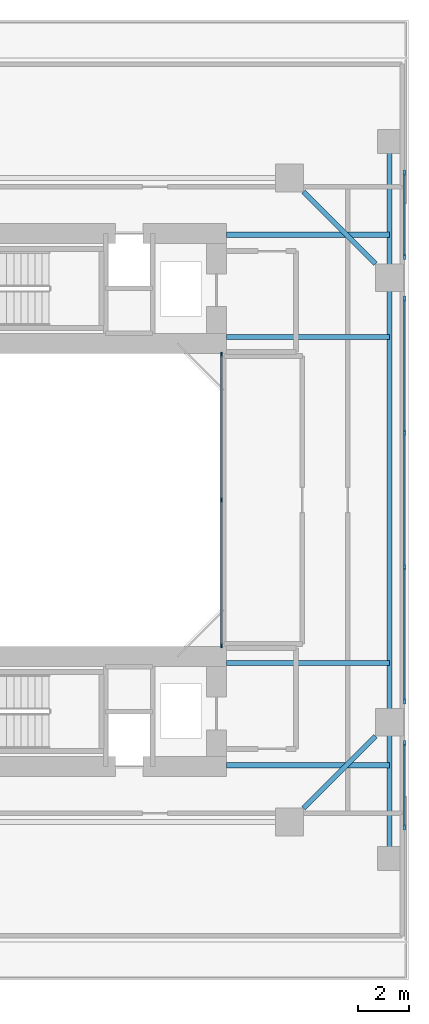
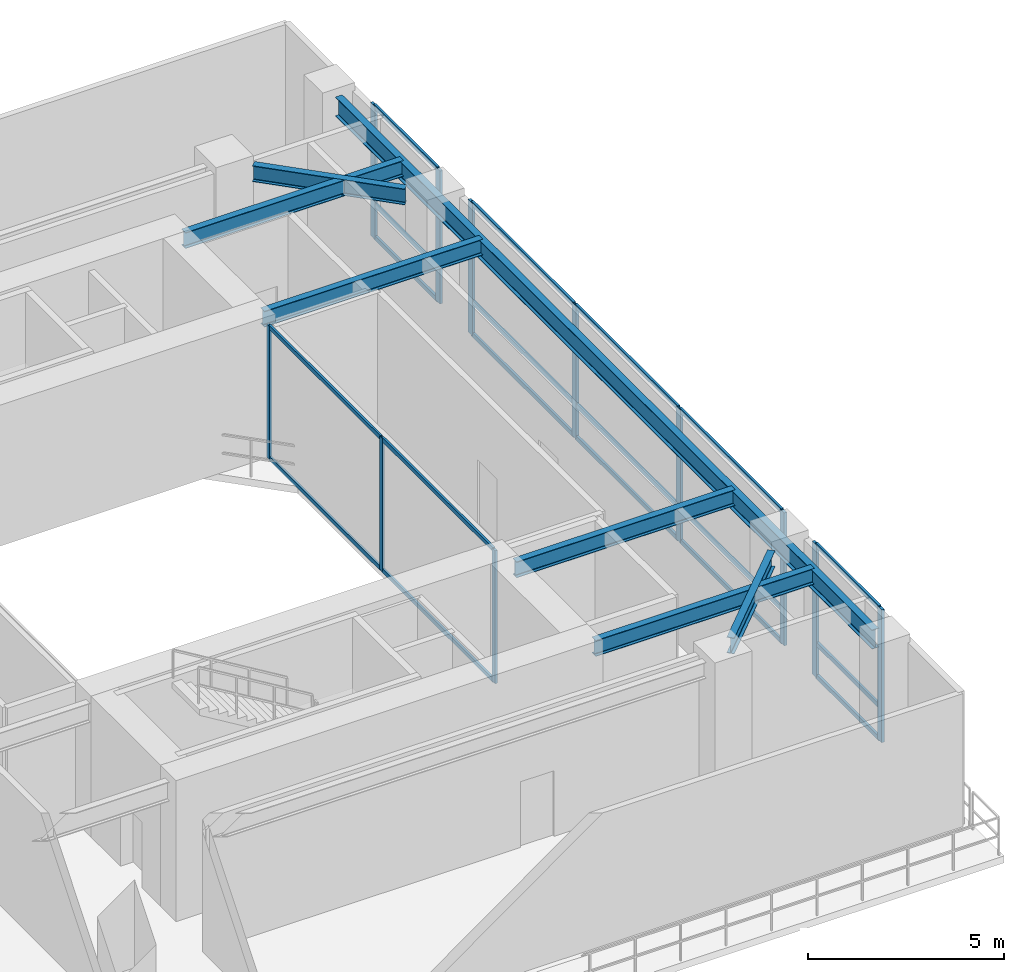
# One storey, part 9 of 20: 30 members, 7 beams, 4 elements without a shape of their own.
"""IFC4 building model written with IfcOpenShell, lengths in metres."""

from ifc_helpers import new_model, si_unit, direction, frame, origin, origin_2d, place, context, subcontext, project, spatial, rectangle, i_section, extrude, source, transform, mapped, material, layer, layer_set, material_profile, profile_set, type_object, element, aggregate, save


model = new_model("IFC4")

# Units and contexts
model_context = context("Model", 3, precision=1e-05, world=origin(), true_north=direction((0.0, 1.0)))
body_context = subcontext(model_context, "Body", "Model", "MODEL_VIEW")
ifc_project = project(units=[si_unit("LENGTHUNIT", "METRE"), si_unit("AREAUNIT", "SQUARE_METRE"), si_unit("VOLUMEUNIT", "CUBIC_METRE"), si_unit("PLANEANGLEUNIT", "RADIAN"), si_unit("MASSUNIT", "GRAM", prefix="KILO"), si_unit("THERMODYNAMICTEMPERATUREUNIT", "KELVIN"), si_unit("POWERUNIT", "WATT")], contexts=[model_context])

# Site, building, storey
site_placement = place(None, origin())
site = spatial("IfcSite", under=ifc_project, at=site_placement, CompositionType="ELEMENT")
building_placement = place(site_placement, origin())
building = spatial("IfcBuilding", under=site, at=building_placement, Name="Qiaomeng Ring Towers", CompositionType="ELEMENT")
storey_placement = place(building_placement, frame((0.0, 0.0, 13.800048828125)))
storey = spatial("IfcBuildingStorey", under=building, at=storey_placement, Name="L03", CompositionType="ELEMENT", Elevation=13.800048828125)

# Beams
ifc_material_1 = material(Name="Steel Q355B", Category="steel")
ifc_material_profile_1 = material_profile(ifc_material_1, i_section(OverallWidth=0.199951171875, OverallDepth=0.60009765625, WebThickness=0.010986328125, FlangeThickness=0.01708984375, FilletRadius=0.02197265625, at=origin_2d()), Name="HN 600x200x11x17")
ifc_profile_set_1 = profile_set([ifc_material_profile_1], Name="Steel Q355B")
beam_type_1 = type_object("IfcBeamType", Name="STR-BM-HN600", PredefinedType="BEAM", material=ifc_profile_set_1)
shared_shape_1 = source(origin(), body_context, "Body", "SweptSolid", [
    extrude(i_section(OverallWidth=0.199951171875, OverallDepth=0.60009765625, WebThickness=0.010986328125, FlangeThickness=0.01708984375, FilletRadius=0.02197265625, at=origin_2d()), origin(), (0.0, 0.0, 1.0), 27.4521484375),
])
beam_placement = place(storey_placement, frame((73.25, 9.27392578125, 3.849853515625), z_axis=(0.0, 1.0, 0.0), x_axis=(-1.0, 0.0, 0.0)))
element("IfcBeam", 1, at=beam_placement, inside=storey, type_object=beam_type_1, Name="L03 beam STR-SP-L03-EL", PredefinedType="BEAM", context=body_context, shape_type="MappedRepresentation", body=[
    mapped(shared_shape_1, transform((0.0, 0.0, 0.0), x_axis=(1.0, 0.0, 0.0), y_axis=(0.0, 1.0, 0.0), z_axis=(0.0, 0.0, 1.0), scale=1.0)),
])
ifc_material_profile_2 = material_profile(ifc_material_1, i_section(OverallWidth=0.199951171875, OverallDepth=0.5, WebThickness=0.010009765625, FlangeThickness=0.01611328125, FilletRadius=0.02001953125, at=origin_2d()), Name="HN 500x200x10x16")
ifc_profile_set_2 = profile_set([ifc_material_profile_2], Name="Steel Q355B")
beam_type_2 = type_object("IfcBeamType", Name="STR-BM-HN500", PredefinedType="BEAM", material=ifc_profile_set_2)
shared_shape_2 = source(origin(), body_context, "Body", "SweptSolid", [
    extrude(i_section(OverallWidth=0.199951171875, OverallDepth=0.5, WebThickness=0.010009765625, FlangeThickness=0.01611328125, FilletRadius=0.02001953125, at=origin_2d()), origin(), (0.0, 0.0, 1.0), 4.032470703125),
])
for number, where, z_axis, x_axis, name in (
    (2, (69.849365234375, 10.79931640625, 3.89990234375), (0.707106781187, 0.707106781187, 0.0), (-0.707106781187, 0.707106781187, 0.0), "L03 beam STR-SP-L03-T2-2"),
    (3, (72.70068359375, 32.349365234375, 3.89990234375), (-0.707106781187, 0.707106781187, 0.0), (-0.707106781187, -0.707106781187, 0.0), "L03 beam STR-SP-L03-T2-4"),
):
    element("IfcBeam", number, at=place(storey_placement, frame(where, z_axis=z_axis, x_axis=x_axis)), inside=storey, type_object=beam_type_2, Name=name, PredefinedType="BEAM", context=body_context, shape_type="MappedRepresentation", body=[
        mapped(shared_shape_2, transform((0.0, 0.0, 0.0), x_axis=(1.0, 0.0, 0.0), y_axis=(0.0, 1.0, 0.0), z_axis=(0.0, 0.0, 1.0), scale=1.0)),
    ])
shared_shape_3 = source(origin(), body_context, "Body", "SweptSolid", [
    extrude(i_section(OverallWidth=0.199951171875, OverallDepth=0.5, WebThickness=0.010009765625, FlangeThickness=0.01611328125, FilletRadius=0.02001953125, at=origin_2d()), origin(), (0.0, 0.0, 1.0), 6.449951171875),
])
for number, where, z_axis, x_axis, name in (
    (4, (66.800048828125, 12.5, 3.89990234375), (1.0, 0.0, 0.0), (0.0, 1.0, 0.0), "L03 beam STR-BM-L03-E-0"),
    (5, (66.800048828125, 16.550048828125, 3.89990234375), (1.0, 0.0, 0.0), (0.0, 1.0, 0.0), "L03 beam STR-BM-L03-E-1"),
    (6, (66.800048828125, 29.449951171875, 3.89990234375), (1.0, 0.0, 0.0), (0.0, 1.0, 0.0), "L03 beam STR-BM-L03-E-2"),
    (7, (66.800048828125, 33.5, 3.89990234375), (1.0, 0.0, 0.0), (0.0, 1.0, 0.0), "L03 beam STR-BM-L03-E-3"),
):
    element("IfcBeam", number, at=place(storey_placement, frame(where, z_axis=z_axis, x_axis=x_axis)), inside=storey, type_object=beam_type_2, Name=name, PredefinedType="BEAM", context=body_context, shape_type="MappedRepresentation", body=[
        mapped(shared_shape_3, transform((0.0, 0.0, 0.0), x_axis=(1.0, 0.0, 0.0), y_axis=(0.0, 1.0, 0.0), z_axis=(0.0, 0.0, 1.0), scale=1.0)),
    ])

# Curtain wall, members
ifc_material_2 = material(Name="Fluorocarbon dark-grey aluminium", Category="aluminium")
ifc_layer_1 = layer(ifc_material_2, 0.179931640625, Name="Fluorocarbon dark-grey aluminium")
ifc_layer_set_1 = layer_set([ifc_layer_1], Name="Fluorocarbon dark-grey aluminium")
curtain_wall_type_1 = type_object("IfcCurtainWallType", Name="ARC-CW-1", PredefinedType="NOTDEFINED", material=ifc_layer_set_1)
curtain_wall_1_placement = place(storey_placement, origin())
curtain_wall_1 = element("IfcCurtainWall", 8, at=curtain_wall_1_placement, inside=storey, type_object=curtain_wall_type_1, Name="L03 Curtain Wall CW1", PredefinedType="NOTDEFINED")
ifc_material_profile_3 = material_profile(ifc_material_2, rectangle(XDim=0.070068359375, YDim=0.139892578125, at=origin_2d()), Name="ALU TRAN 70x140")
ifc_profile_set_3 = profile_set([ifc_material_profile_3], Name="Fluorocarbon dark-grey aluminium")
member_type_1 = type_object("IfcMemberType", Name="ARC-CWT-140", PredefinedType="USERDEFINED", material=ifc_profile_set_3)
shared_shape_4 = source(origin(), body_context, "Body", "SweptSolid", [
    extrude(rectangle(XDim=0.070068359375, YDim=0.139892578125, at=origin_2d()), origin(), (0.0, 0.0, 1.0), 5.219970703125),
])
member_1_placement = place(storey_placement, frame((73.85009765625, 15.070068359375, 0.034912109375), z_axis=(0.0, 1.0, 0.0), x_axis=(-1.0, 0.0, 0.0)))
member_1 = element("IfcMember", 9, at=member_1_placement, type_object=member_type_1, Name="CW1 transom 1.1", ObjectType="TRANSOM", PredefinedType="USERDEFINED", context=body_context, shape_type="MappedRepresentation", body=[
    mapped(shared_shape_4, transform((0.0, 0.0, 0.0), x_axis=(1.0, 0.0, 0.0), y_axis=(0.0, 1.0, 0.0), z_axis=(0.0, 0.0, 1.0), scale=1.0)),
])
member_2_placement = place(storey_placement, frame((73.85009765625, 15.070068359375, 1.050048828125), z_axis=(0.0, 1.0, 0.0), x_axis=(-1.0, 0.0, 0.0)))
member_2 = element("IfcMember", 10, at=member_2_placement, type_object=member_type_1, Name="CW1 transom 1.2", ObjectType="TRANSOM", PredefinedType="USERDEFINED", context=body_context, shape_type="MappedRepresentation", body=[
    mapped(shared_shape_4, transform((0.0, 0.0, 0.0), x_axis=(1.0, 0.0, 0.0), y_axis=(0.0, 1.0, 0.0), z_axis=(0.0, 0.0, 1.0), scale=1.0)),
])
member_3_placement = place(storey_placement, frame((73.85009765625, 15.070068359375, 4.114990234375), z_axis=(0.0, 1.0, 0.0), x_axis=(-1.0, 0.0, 0.0)))
member_3 = element("IfcMember", 11, at=member_3_placement, type_object=member_type_1, Name="CW1 transom 1.3", ObjectType="TRANSOM", PredefinedType="USERDEFINED", context=body_context, shape_type="MappedRepresentation", body=[
    mapped(shared_shape_4, transform((0.0, 0.0, 0.0), x_axis=(1.0, 0.0, 0.0), y_axis=(0.0, 1.0, 0.0), z_axis=(0.0, 0.0, 1.0), scale=1.0)),
])
member_4_placement = place(storey_placement, frame((73.85009765625, 25.7099609375, 0.034912109375), z_axis=(0.0, 1.0, 0.0), x_axis=(-1.0, 0.0, 0.0)))
member_4 = element("IfcMember", 12, at=member_4_placement, type_object=member_type_1, Name="CW1 transom 3.1", ObjectType="TRANSOM", PredefinedType="USERDEFINED", context=body_context, shape_type="MappedRepresentation", body=[
    mapped(shared_shape_4, transform((0.0, 0.0, 0.0), x_axis=(1.0, 0.0, 0.0), y_axis=(0.0, 1.0, 0.0), z_axis=(0.0, 0.0, 1.0), scale=1.0)),
])
member_5_placement = place(storey_placement, frame((73.85009765625, 25.7099609375, 1.050048828125), z_axis=(0.0, 1.0, 0.0), x_axis=(-1.0, 0.0, 0.0)))
member_5 = element("IfcMember", 13, at=member_5_placement, type_object=member_type_1, Name="CW1 transom 3.2", ObjectType="TRANSOM", PredefinedType="USERDEFINED", context=body_context, shape_type="MappedRepresentation", body=[
    mapped(shared_shape_4, transform((0.0, 0.0, 0.0), x_axis=(1.0, 0.0, 0.0), y_axis=(0.0, 1.0, 0.0), z_axis=(0.0, 0.0, 1.0), scale=1.0)),
])
member_6_placement = place(storey_placement, frame((73.85009765625, 25.7099609375, 4.114990234375), z_axis=(0.0, 1.0, 0.0), x_axis=(-1.0, 0.0, 0.0)))
member_6 = element("IfcMember", 14, at=member_6_placement, type_object=member_type_1, Name="CW1 transom 3.3", ObjectType="TRANSOM", PredefinedType="USERDEFINED", context=body_context, shape_type="MappedRepresentation", body=[
    mapped(shared_shape_4, transform((0.0, 0.0, 0.0), x_axis=(1.0, 0.0, 0.0), y_axis=(0.0, 1.0, 0.0), z_axis=(0.0, 0.0, 1.0), scale=1.0)),
])
shared_shape_5 = source(origin(), body_context, "Body", "SweptSolid", [
    extrude(rectangle(XDim=0.070068359375, YDim=0.139892578125, at=origin_2d()), origin(), (0.0, 0.0, 1.0), 5.259765625),
])
member_7_placement = place(storey_placement, frame((73.85009765625, 20.3701171875, 0.034912109375), z_axis=(0.0, 1.0, 0.0), x_axis=(-1.0, 0.0, 0.0)))
member_7 = element("IfcMember", 15, at=member_7_placement, type_object=member_type_1, Name="CW1 transom 2.1", ObjectType="TRANSOM", PredefinedType="USERDEFINED", context=body_context, shape_type="MappedRepresentation", body=[
    mapped(shared_shape_5, transform((0.0, 0.0, 0.0), x_axis=(1.0, 0.0, 0.0), y_axis=(0.0, 1.0, 0.0), z_axis=(0.0, 0.0, 1.0), scale=1.0)),
])
member_8_placement = place(storey_placement, frame((73.85009765625, 20.3701171875, 1.050048828125), z_axis=(0.0, 1.0, 0.0), x_axis=(-1.0, 0.0, 0.0)))
member_8 = element("IfcMember", 16, at=member_8_placement, type_object=member_type_1, Name="CW1 transom 2.2", ObjectType="TRANSOM", PredefinedType="USERDEFINED", context=body_context, shape_type="MappedRepresentation", body=[
    mapped(shared_shape_5, transform((0.0, 0.0, 0.0), x_axis=(1.0, 0.0, 0.0), y_axis=(0.0, 1.0, 0.0), z_axis=(0.0, 0.0, 1.0), scale=1.0)),
])
member_9_placement = place(storey_placement, frame((73.85009765625, 20.3701171875, 4.114990234375), z_axis=(0.0, 1.0, 0.0), x_axis=(-1.0, 0.0, 0.0)))
member_9 = element("IfcMember", 17, at=member_9_placement, type_object=member_type_1, Name="CW1 transom 2.3", ObjectType="TRANSOM", PredefinedType="USERDEFINED", context=body_context, shape_type="MappedRepresentation", body=[
    mapped(shared_shape_5, transform((0.0, 0.0, 0.0), x_axis=(1.0, 0.0, 0.0), y_axis=(0.0, 1.0, 0.0), z_axis=(0.0, 0.0, 1.0), scale=1.0)),
])

curtain_wall_2_placement = place(storey_placement, origin())
curtain_wall_2 = element("IfcCurtainWall", 18, at=curtain_wall_2_placement, inside=storey, type_object=curtain_wall_type_1, Name="L03 Curtain Wall CW1", PredefinedType="NOTDEFINED")
shared_shape_6 = source(origin(), body_context, "Body", "SweptSolid", [
    extrude(rectangle(XDim=0.070068359375, YDim=0.139892578125, at=origin_2d()), origin(), (0.0, 0.0, 1.0), 3.25),
])
member_10_placement = place(storey_placement, frame((73.85009765625, 10.080078125, 0.034912109375), z_axis=(0.0, 1.0, 0.0), x_axis=(-1.0, 0.0, 0.0)))
member_10 = element("IfcMember", 19, at=member_10_placement, type_object=member_type_1, Name="CW1 transom 1.1", ObjectType="TRANSOM", PredefinedType="USERDEFINED", context=body_context, shape_type="MappedRepresentation", body=[
    mapped(shared_shape_6, transform((0.0, 0.0, 0.0), x_axis=(1.0, 0.0, 0.0), y_axis=(0.0, 1.0, 0.0), z_axis=(0.0, 0.0, 1.0), scale=1.0)),
])
member_11_placement = place(storey_placement, frame((73.85009765625, 10.080078125, 1.050048828125), z_axis=(0.0, 1.0, 0.0), x_axis=(-1.0, 0.0, 0.0)))
member_11 = element("IfcMember", 20, at=member_11_placement, type_object=member_type_1, Name="CW1 transom 1.2", ObjectType="TRANSOM", PredefinedType="USERDEFINED", context=body_context, shape_type="MappedRepresentation", body=[
    mapped(shared_shape_6, transform((0.0, 0.0, 0.0), x_axis=(1.0, 0.0, 0.0), y_axis=(0.0, 1.0, 0.0), z_axis=(0.0, 0.0, 1.0), scale=1.0)),
])
member_12_placement = place(storey_placement, frame((73.85009765625, 10.080078125, 4.114990234375), z_axis=(0.0, 1.0, 0.0), x_axis=(-1.0, 0.0, 0.0)))
member_12 = element("IfcMember", 21, at=member_12_placement, type_object=member_type_1, Name="CW1 transom 1.3", ObjectType="TRANSOM", PredefinedType="USERDEFINED", context=body_context, shape_type="MappedRepresentation", body=[
    mapped(shared_shape_6, transform((0.0, 0.0, 0.0), x_axis=(1.0, 0.0, 0.0), y_axis=(0.0, 1.0, 0.0), z_axis=(0.0, 0.0, 1.0), scale=1.0)),
])

curtain_wall_3_placement = place(storey_placement, origin())
curtain_wall_3 = element("IfcCurtainWall", 22, at=curtain_wall_3_placement, inside=storey, type_object=curtain_wall_type_1, Name="L03 Curtain Wall CW1", PredefinedType="NOTDEFINED")
member_13_placement = place(storey_placement, frame((73.85009765625, 32.669921875, 0.034912109375), z_axis=(0.0, 1.0, 0.0), x_axis=(-1.0, 0.0, 0.0)))
member_13 = element("IfcMember", 23, at=member_13_placement, type_object=member_type_1, Name="CW1 transom 1.1", ObjectType="TRANSOM", PredefinedType="USERDEFINED", context=body_context, shape_type="MappedRepresentation", body=[
    mapped(shared_shape_6, transform((0.0, 0.0, 0.0), x_axis=(1.0, 0.0, 0.0), y_axis=(0.0, 1.0, 0.0), z_axis=(0.0, 0.0, 1.0), scale=1.0)),
])
member_14_placement = place(storey_placement, frame((73.85009765625, 32.669921875, 1.050048828125), z_axis=(0.0, 1.0, 0.0), x_axis=(-1.0, 0.0, 0.0)))
member_14 = element("IfcMember", 24, at=member_14_placement, type_object=member_type_1, Name="CW1 transom 1.2", ObjectType="TRANSOM", PredefinedType="USERDEFINED", context=body_context, shape_type="MappedRepresentation", body=[
    mapped(shared_shape_6, transform((0.0, 0.0, 0.0), x_axis=(1.0, 0.0, 0.0), y_axis=(0.0, 1.0, 0.0), z_axis=(0.0, 0.0, 1.0), scale=1.0)),
])
member_15_placement = place(storey_placement, frame((73.85009765625, 32.669921875, 4.114990234375), z_axis=(0.0, 1.0, 0.0), x_axis=(-1.0, 0.0, 0.0)))
member_15 = element("IfcMember", 25, at=member_15_placement, type_object=member_type_1, Name="CW1 transom 1.3", ObjectType="TRANSOM", PredefinedType="USERDEFINED", context=body_context, shape_type="MappedRepresentation", body=[
    mapped(shared_shape_6, transform((0.0, 0.0, 0.0), x_axis=(1.0, 0.0, 0.0), y_axis=(0.0, 1.0, 0.0), z_axis=(0.0, 0.0, 1.0), scale=1.0)),
])

ifc_layer_2 = layer(ifc_material_2, 0.139892578125, Name="Fluorocarbon dark-grey aluminium")
ifc_layer_set_2 = layer_set([ifc_layer_2], Name="Fluorocarbon dark-grey aluminium")
curtain_wall_type_2 = type_object("IfcCurtainWallType", Name="ARC-CW-4", PredefinedType="NOTDEFINED", material=ifc_layer_set_2)
curtain_wall_4_placement = place(storey_placement, origin())
curtain_wall_4 = element("IfcCurtainWall", 26, at=curtain_wall_4_placement, inside=storey, type_object=curtain_wall_type_2, Name="L03 Curtain Wall CW4", PredefinedType="NOTDEFINED")
ifc_material_profile_4 = material_profile(ifc_material_2, rectangle(XDim=0.06494140625, YDim=0.1298828125, at=origin_2d()), Name="ALU TRAN 65x130")
ifc_profile_set_4 = profile_set([ifc_material_profile_4], Name="Fluorocarbon dark-grey aluminium")
member_type_2 = type_object("IfcMemberType", Name="ARC-CWT-120", PredefinedType="USERDEFINED", material=ifc_profile_set_4)
shared_shape_7 = source(origin(), body_context, "Body", "SweptSolid", [
    extrude(rectangle(XDim=0.06494140625, YDim=0.1298828125, at=origin_2d()), origin(), (0.0, 0.0, 1.0), 5.70263671875),
])
member_16_placement = place(storey_placement, frame((66.60009765625, 17.264892578125, 0.032470703125), z_axis=(0.0, 1.0, 0.0), x_axis=(-1.0, 0.0, 0.0)))
member_16 = element("IfcMember", 27, at=member_16_placement, type_object=member_type_2, Name="CW4 transom 1.1", ObjectType="TRANSOM", PredefinedType="USERDEFINED", context=body_context, shape_type="MappedRepresentation", body=[
    mapped(shared_shape_7, transform((0.0, 0.0, 0.0), x_axis=(1.0, 0.0, 0.0), y_axis=(0.0, 1.0, 0.0), z_axis=(0.0, 0.0, 1.0), scale=1.0)),
])
member_17_placement = place(storey_placement, frame((66.60009765625, 17.264892578125, 4.117431640625), z_axis=(0.0, 1.0, 0.0), x_axis=(-1.0, 0.0, 0.0)))
member_17 = element("IfcMember", 28, at=member_17_placement, type_object=member_type_2, Name="CW4 transom 1.2", ObjectType="TRANSOM", PredefinedType="USERDEFINED", context=body_context, shape_type="MappedRepresentation", body=[
    mapped(shared_shape_7, transform((0.0, 0.0, 0.0), x_axis=(1.0, 0.0, 0.0), y_axis=(0.0, 1.0, 0.0), z_axis=(0.0, 0.0, 1.0), scale=1.0)),
])
member_18_placement = place(storey_placement, frame((66.60009765625, 23.032470703125, 0.032470703125), z_axis=(0.0, 1.0, 0.0), x_axis=(-1.0, 0.0, 0.0)))
member_18 = element("IfcMember", 29, at=member_18_placement, type_object=member_type_2, Name="CW4 transom 2.1", ObjectType="TRANSOM", PredefinedType="USERDEFINED", context=body_context, shape_type="MappedRepresentation", body=[
    mapped(shared_shape_7, transform((0.0, 0.0, 0.0), x_axis=(1.0, 0.0, 0.0), y_axis=(0.0, 1.0, 0.0), z_axis=(0.0, 0.0, 1.0), scale=1.0)),
])
member_19_placement = place(storey_placement, frame((66.60009765625, 23.032470703125, 4.117431640625), z_axis=(0.0, 1.0, 0.0), x_axis=(-1.0, 0.0, 0.0)))
member_19 = element("IfcMember", 30, at=member_19_placement, type_object=member_type_2, Name="CW4 transom 2.2", ObjectType="TRANSOM", PredefinedType="USERDEFINED", context=body_context, shape_type="MappedRepresentation", body=[
    mapped(shared_shape_7, transform((0.0, 0.0, 0.0), x_axis=(1.0, 0.0, 0.0), y_axis=(0.0, 1.0, 0.0), z_axis=(0.0, 0.0, 1.0), scale=1.0)),
])

# Member
ifc_material_profile_5 = material_profile(ifc_material_2, rectangle(XDim=0.080078125, YDim=0.219970703125, at=origin_2d()), Name="ALU MULL 80x220")
ifc_profile_set_5 = profile_set([ifc_material_profile_5], Name="Fluorocarbon dark-grey aluminium")
member_type_3 = type_object("IfcMemberType", Name="ARC-CWM-180", PredefinedType="MULLION", material=ifc_profile_set_5)
shared_shape_8 = source(origin(), body_context, "Body", "SweptSolid", [
    extrude(rectangle(XDim=0.080078125, YDim=0.219970703125, at=origin_2d()), origin(), (0.0, 0.0, 1.0), 4.14990234375),
])
member_20_placement = place(storey_placement, frame((73.85009765625, 10.0400390625, 0.0), z_axis=(0.0, 0.0, 1.0), x_axis=(-1.0, 0.0, 0.0)))
member_20 = element("IfcMember", 31, at=member_20_placement, type_object=member_type_3, Name="CW1 mullion 1", PredefinedType="MULLION", context=body_context, shape_type="MappedRepresentation", body=[
    mapped(shared_shape_8, transform((0.0, 0.0, 0.0), x_axis=(1.0, 0.0, 0.0), y_axis=(0.0, 1.0, 0.0), z_axis=(0.0, 0.0, 1.0), scale=1.0)),
])

member_21_placement = place(storey_placement, frame((73.85009765625, 13.3701171875, 0.0), z_axis=(0.0, 0.0, 1.0), x_axis=(-1.0, 0.0, 0.0)))
member_21 = element("IfcMember", 32, at=member_21_placement, type_object=member_type_3, Name="CW1 mullion 2", PredefinedType="MULLION", context=body_context, shape_type="MappedRepresentation", body=[
    mapped(shared_shape_8, transform((0.0, 0.0, 0.0), x_axis=(1.0, 0.0, 0.0), y_axis=(0.0, 1.0, 0.0), z_axis=(0.0, 0.0, 1.0), scale=1.0)),
])

aggregate(curtain_wall_2, [member_20, member_21, member_10, member_11, member_12])

member_22_placement = place(storey_placement, frame((73.85009765625, 15.030029296875, 0.0), z_axis=(0.0, 0.0, 1.0), x_axis=(-1.0, 0.0, 0.0)))
member_22 = element("IfcMember", 33, at=member_22_placement, type_object=member_type_3, Name="CW1 mullion 1", PredefinedType="MULLION", context=body_context, shape_type="MappedRepresentation", body=[
    mapped(shared_shape_8, transform((0.0, 0.0, 0.0), x_axis=(1.0, 0.0, 0.0), y_axis=(0.0, 1.0, 0.0), z_axis=(0.0, 0.0, 1.0), scale=1.0)),
])

member_23_placement = place(storey_placement, frame((73.85009765625, 20.330078125, 0.0), z_axis=(0.0, 0.0, 1.0), x_axis=(-1.0, 0.0, 0.0)))
member_23 = element("IfcMember", 34, at=member_23_placement, type_object=member_type_3, Name="CW1 mullion 2", PredefinedType="MULLION", context=body_context, shape_type="MappedRepresentation", body=[
    mapped(shared_shape_8, transform((0.0, 0.0, 0.0), x_axis=(1.0, 0.0, 0.0), y_axis=(0.0, 1.0, 0.0), z_axis=(0.0, 0.0, 1.0), scale=1.0)),
])

member_24_placement = place(storey_placement, frame((73.85009765625, 25.669921875, 0.0), z_axis=(0.0, 0.0, 1.0), x_axis=(-1.0, 0.0, 0.0)))
member_24 = element("IfcMember", 35, at=member_24_placement, type_object=member_type_3, Name="CW1 mullion 3", PredefinedType="MULLION", context=body_context, shape_type="MappedRepresentation", body=[
    mapped(shared_shape_8, transform((0.0, 0.0, 0.0), x_axis=(1.0, 0.0, 0.0), y_axis=(0.0, 1.0, 0.0), z_axis=(0.0, 0.0, 1.0), scale=1.0)),
])

member_25_placement = place(storey_placement, frame((73.85009765625, 30.969970703125, 0.0), z_axis=(0.0, 0.0, 1.0), x_axis=(-1.0, 0.0, 0.0)))
member_25 = element("IfcMember", 36, at=member_25_placement, type_object=member_type_3, Name="CW1 mullion 4", PredefinedType="MULLION", context=body_context, shape_type="MappedRepresentation", body=[
    mapped(shared_shape_8, transform((0.0, 0.0, 0.0), x_axis=(1.0, 0.0, 0.0), y_axis=(0.0, 1.0, 0.0), z_axis=(0.0, 0.0, 1.0), scale=1.0)),
])

aggregate(curtain_wall_1, [member_22, member_23, member_24, member_25, member_1, member_2, member_3, member_7, member_8, member_9, member_4, member_5, member_6])

member_26_placement = place(storey_placement, frame((73.85009765625, 32.6298828125, 0.0), z_axis=(0.0, 0.0, 1.0), x_axis=(-1.0, 0.0, 0.0)))
member_26 = element("IfcMember", 37, at=member_26_placement, type_object=member_type_3, Name="CW1 mullion 1", PredefinedType="MULLION", context=body_context, shape_type="MappedRepresentation", body=[
    mapped(shared_shape_8, transform((0.0, 0.0, 0.0), x_axis=(1.0, 0.0, 0.0), y_axis=(0.0, 1.0, 0.0), z_axis=(0.0, 0.0, 1.0), scale=1.0)),
])

member_27_placement = place(storey_placement, frame((73.85009765625, 35.9599609375, 0.0), z_axis=(0.0, 0.0, 1.0), x_axis=(-1.0, 0.0, 0.0)))
member_27 = element("IfcMember", 38, at=member_27_placement, type_object=member_type_3, Name="CW1 mullion 2", PredefinedType="MULLION", context=body_context, shape_type="MappedRepresentation", body=[
    mapped(shared_shape_8, transform((0.0, 0.0, 0.0), x_axis=(1.0, 0.0, 0.0), y_axis=(0.0, 1.0, 0.0), z_axis=(0.0, 0.0, 1.0), scale=1.0)),
])

aggregate(curtain_wall_3, [member_26, member_27, member_13, member_14, member_15])

ifc_material_profile_6 = material_profile(ifc_material_2, rectangle(XDim=0.06494140625, YDim=0.159912109375, at=origin_2d()), Name="ALU MULL 65x160")
ifc_profile_set_6 = profile_set([ifc_material_profile_6], Name="Fluorocarbon dark-grey aluminium")
member_type_4 = type_object("IfcMemberType", Name="ARC-CWM-140", PredefinedType="MULLION", material=ifc_profile_set_6)
shared_shape_9 = source(origin(), body_context, "Body", "SweptSolid", [
    extrude(rectangle(XDim=0.06494140625, YDim=0.159912109375, at=origin_2d()), origin(), (0.0, 0.0, 1.0), 4.14990234375),
])
member_28_placement = place(storey_placement, frame((66.60009765625, 17.232421875, 0.0), z_axis=(0.0, 0.0, 1.0), x_axis=(-1.0, 0.0, 0.0)))
member_28 = element("IfcMember", 39, at=member_28_placement, type_object=member_type_4, Name="CW4 mullion 1", PredefinedType="MULLION", context=body_context, shape_type="MappedRepresentation", body=[
    mapped(shared_shape_9, transform((0.0, 0.0, 0.0), x_axis=(1.0, 0.0, 0.0), y_axis=(0.0, 1.0, 0.0), z_axis=(0.0, 0.0, 1.0), scale=1.0)),
])

member_29_placement = place(storey_placement, frame((66.60009765625, 23.0, 0.0), z_axis=(0.0, 0.0, 1.0), x_axis=(-1.0, 0.0, 0.0)))
member_29 = element("IfcMember", 40, at=member_29_placement, type_object=member_type_4, Name="CW4 mullion 2", PredefinedType="MULLION", context=body_context, shape_type="MappedRepresentation", body=[
    mapped(shared_shape_9, transform((0.0, 0.0, 0.0), x_axis=(1.0, 0.0, 0.0), y_axis=(0.0, 1.0, 0.0), z_axis=(0.0, 0.0, 1.0), scale=1.0)),
])

member_30_placement = place(storey_placement, frame((66.60009765625, 28.767578125, 0.0), z_axis=(0.0, 0.0, 1.0), x_axis=(-1.0, 0.0, 0.0)))
member_30 = element("IfcMember", 41, at=member_30_placement, type_object=member_type_4, Name="CW4 mullion 3", PredefinedType="MULLION", context=body_context, shape_type="MappedRepresentation", body=[
    mapped(shared_shape_9, transform((0.0, 0.0, 0.0), x_axis=(1.0, 0.0, 0.0), y_axis=(0.0, 1.0, 0.0), z_axis=(0.0, 0.0, 1.0), scale=1.0)),
])

aggregate(curtain_wall_4, [member_28, member_29, member_30, member_16, member_17, member_18, member_19])

save(model, "model.ifc")
